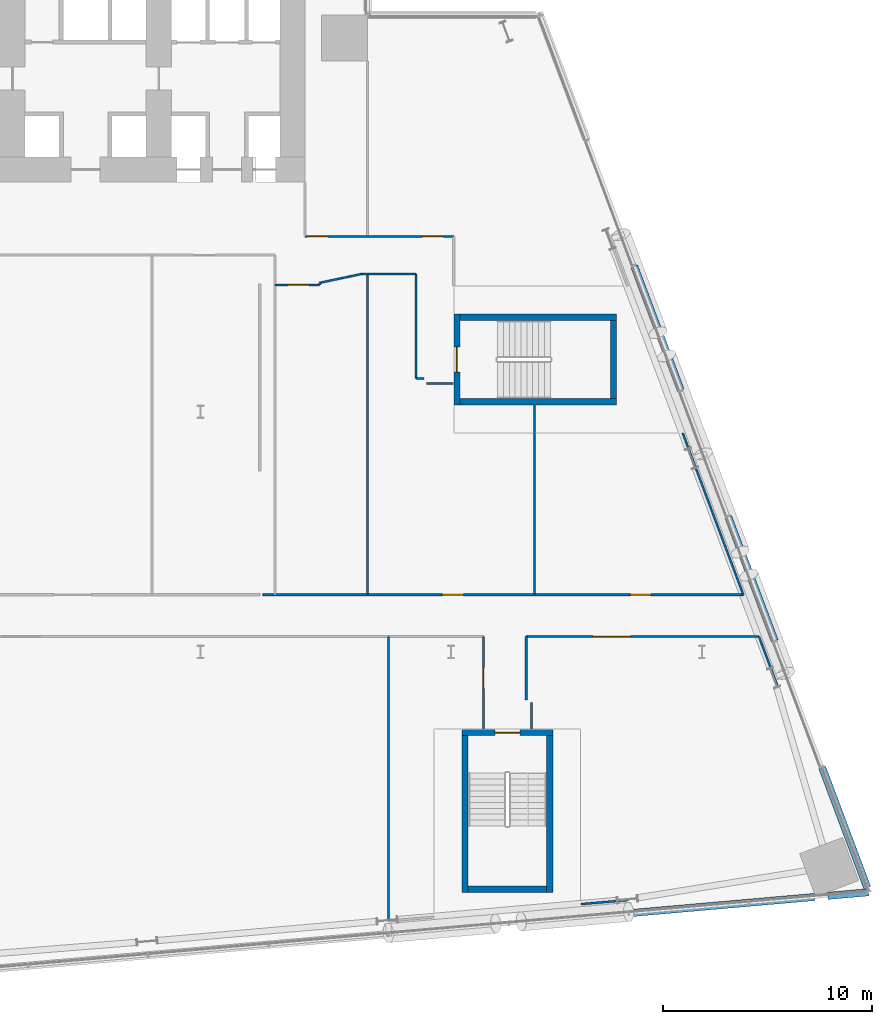
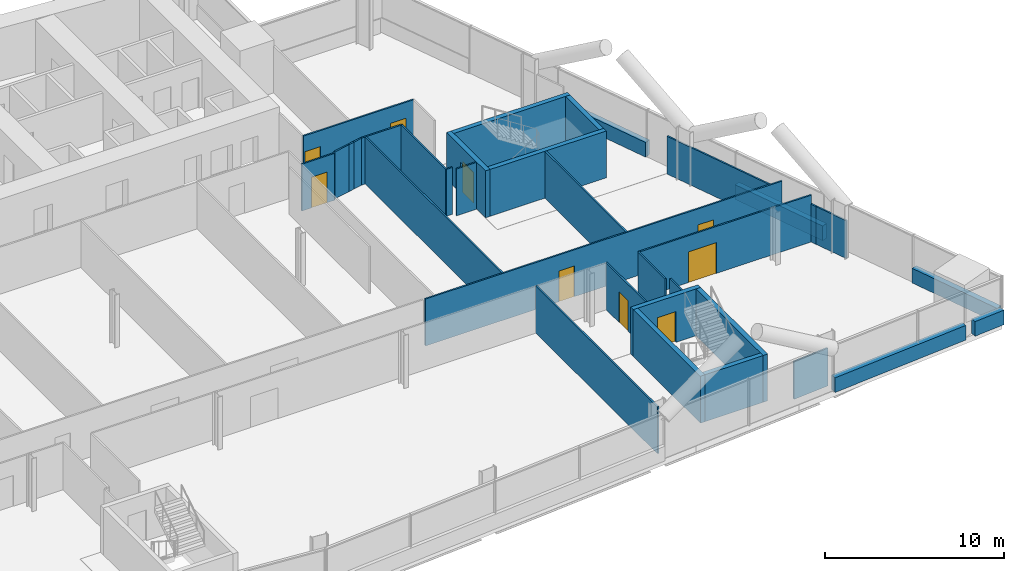
# One storey, part 19 of 27: 35 walls, 9 doors, 9 openings.
"""IFC4 building model written with IfcOpenShell, lengths in metres."""

from ifc_helpers import new_model, si_unit, direction, frame, frame_2d, origin, place, context, subcontext, project, spatial, rectangle, extrude, material, layer, layer_set, type_object, element, fill, save


model = new_model("IFC4")

# Units and contexts
model_context = context("Model", 3, precision=1e-05, world=origin(), true_north=direction((0.0, 1.0)))
body_context = subcontext(model_context, "Body", "Model", "MODEL_VIEW")
ifc_project = project(units=[si_unit("LENGTHUNIT", "METRE"), si_unit("AREAUNIT", "SQUARE_METRE"), si_unit("VOLUMEUNIT", "CUBIC_METRE"), si_unit("PLANEANGLEUNIT", "RADIAN"), si_unit("MASSUNIT", "GRAM", prefix="KILO")], contexts=[model_context])

# Site, building, storey
site_placement = place(None, origin())
site = spatial("IfcSite", under=ifc_project, at=site_placement, CompositionType="ELEMENT")
building_placement = place(site_placement, origin())
building = spatial("IfcBuilding", under=site, at=building_placement, Name="Wharfspan Tower", CompositionType="ELEMENT")
storey_placement = place(building_placement, frame((0.0, 0.0, 45.100098)))
storey = spatial("IfcBuildingStorey", under=building, at=storey_placement, Name="L07", CompositionType="ELEMENT", Elevation=45.100098)

# Wall, openings, doors
ifc_material_1 = material(Name="Gypsum board on steel studs", Category="steel")
ifc_layer_1 = layer(ifc_material_1, 0.100098)
ifc_layer_set_1 = layer_set([ifc_layer_1], Name="Gypsum board on steel studs")
wall_type_1 = type_object("IfcWallType", Name="Compartment wall 100 EI 60", PredefinedType="PARTITIONING", material=ifc_layer_set_1)
wall_1_placement = place(storey_placement, frame((62.97998, 14.23999, 0.0), z_axis=(0.0, 0.0, 1.0), x_axis=(1.0, 0.0, 0.0)))
wall_1 = element("IfcWall", 1, at=wall_1_placement, inside=storey, type_object=wall_type_1, Name="Partition L07.w047", PredefinedType="PARTITIONING", context=body_context, shape_type="SweptSolid", body=[
    extrude(rectangle(XDim=23.01001, YDim=0.100098, at=frame_2d((11.504883, 0.0))), origin(), (0.0, 0.0, 1.0), 3.199951),
])
opening_1_placement = place(wall_1_placement, frame((8.600098, 0.0, 0.0)))
opening_1 = element("IfcOpeningElement", 2, at=opening_1_placement, cuts=wall_1, Name="Opening A1-17", PredefinedType="OPENING", context=body_context, shape_type="SweptSolid", body=[
    extrude(rectangle(XDim=1.0, YDim=2.100098, at=frame_2d((0.5, 1.050049))), frame((0.0, 0.060059, 0.0), z_axis=(0.0, -1.0, 0.0), x_axis=(1.0, 0.0, 0.0)), (0.0, 0.0, 1.0), 0.120117),
])
opening_2_placement = place(wall_1_placement, frame((17.595459, 0.0, 0.0)))
opening_2 = element("IfcOpeningElement", 3, at=opening_2_placement, cuts=wall_1, Name="Opening A1-18", PredefinedType="OPENING", context=body_context, shape_type="SweptSolid", body=[
    extrude(rectangle(XDim=1.0, YDim=2.100098, at=frame_2d((0.5, 1.050049))), frame((0.0, 0.060059, 0.0), z_axis=(0.0, -1.0, 0.0), x_axis=(1.0, 0.0, 0.0)), (0.0, 0.0, 1.0), 0.120117),
])
ifc_material_2 = material(Name="Fire-rated timber door leaf in steel frame", Category="steel")
door_type_1 = type_object("IfcDoorType", Name="Door 1000 FD30S Left", OperationType="SINGLE_SWING_LEFT", PredefinedType="DOOR", material=ifc_material_2)
door_1_placement = place(opening_1_placement, origin())
door_1 = element("IfcDoor", 4, at=door_1_placement, inside=storey, type_object=door_type_1, Name="Door A1-17", OperationType="SINGLE_SWING_LEFT", OverallHeight=2.100098, OverallWidth=1.0, PredefinedType="DOOR", context=body_context, shape_type="SweptSolid", body=[
    extrude(rectangle(XDim=1.0, YDim=2.100098, at=frame_2d((0.5, 1.050049))), frame((0.0, 0.024902, 0.0), z_axis=(0.0, -1.0, 0.0), x_axis=(1.0, 0.0, 0.0)), (0.0, 0.0, 1.0), 0.050049),
])
fill(opening_1, door_1)
door_type_2 = type_object("IfcDoorType", Name="Door 1000 FD30S Right", OperationType="SINGLE_SWING_RIGHT", PredefinedType="DOOR", material=ifc_material_2)
door_2_placement = place(opening_2_placement, origin())
door_2 = element("IfcDoor", 5, at=door_2_placement, inside=storey, type_object=door_type_2, Name="Door A1-18", OperationType="SINGLE_SWING_RIGHT", OverallHeight=2.100098, OverallWidth=1.0, PredefinedType="DOOR", context=body_context, shape_type="SweptSolid", body=[
    extrude(rectangle(XDim=1.0, YDim=2.100098, at=frame_2d((0.5, 1.050049))), frame((0.0, 0.024902, 0.0), z_axis=(0.0, -1.0, 0.0), x_axis=(1.0, 0.0, 0.0)), (0.0, 0.0, 1.0), 0.050049),
])
fill(opening_2, door_2)

# Wall, opening, door
wall_2_placement = place(storey_placement, frame((63.574951, 29.074951, 0.0), z_axis=(0.0, 0.0, 1.0), x_axis=(1.0, 0.0, 0.0)))
wall_2 = element("IfcWall", 6, at=wall_2_placement, inside=storey, type_object=wall_type_1, Name="Partition L07.w049", PredefinedType="PARTITIONING", context=body_context, shape_type="SweptSolid", body=[
    extrude(rectangle(XDim=2.080078, YDim=0.100098, at=frame_2d((1.040039, 0.0))), origin(), (0.0, 0.0, 1.0), 3.199951),
])
opening_3_placement = place(wall_2_placement, frame((0.620117, 0.0, 0.0)))
opening_3 = element("IfcOpeningElement", 7, at=opening_3_placement, cuts=wall_2, Name="Opening A1-25", PredefinedType="OPENING", context=body_context, shape_type="SweptSolid", body=[
    extrude(rectangle(XDim=1.0, YDim=2.100098, at=frame_2d((0.5, 1.050049))), frame((0.0, 0.060059, 0.0), z_axis=(0.0, -1.0, 0.0), x_axis=(1.0, 0.0, 0.0)), (0.0, 0.0, 1.0), 0.120117),
])
door_3_placement = place(opening_3_placement, origin())
door_3 = element("IfcDoor", 8, at=door_3_placement, inside=storey, type_object=door_type_2, Name="Door A1-25", OperationType="SINGLE_SWING_RIGHT", OverallHeight=2.100098, OverallWidth=1.0, PredefinedType="DOOR", context=body_context, shape_type="SweptSolid", body=[
    extrude(rectangle(XDim=1.0, YDim=2.100098, at=frame_2d((0.5, 1.050049))), frame((0.0, 0.024902, 0.0), z_axis=(0.0, -1.0, 0.0), x_axis=(1.0, 0.0, 0.0)), (0.0, 0.0, 1.0), 0.050049),
])
fill(opening_3, door_3)

# Wall, openings, doors
wall_3_placement = place(storey_placement, frame((65.0, 31.399902, 0.0), z_axis=(0.0, 0.0, 1.0), x_axis=(1.0, 0.0, 0.0)))
wall_3 = element("IfcWall", 9, at=wall_3_placement, inside=storey, type_object=wall_type_1, Name="Partition L07.w051", PredefinedType="PARTITIONING", context=body_context, shape_type="SweptSolid", body=[
    extrude(rectangle(XDim=7.125, YDim=0.100098, at=frame_2d((3.5625, 0.0))), origin(), (0.0, 0.0, 1.0), 3.199951),
])
opening_4_placement = place(wall_3_placement, frame((0.100098, 0.0, 0.0)))
opening_4 = element("IfcOpeningElement", 10, at=opening_4_placement, cuts=wall_3, Name="Opening A1-30", PredefinedType="OPENING", context=body_context, shape_type="SweptSolid", body=[
    extrude(rectangle(XDim=1.0, YDim=2.100098, at=frame_2d((0.5, 1.050049))), frame((0.0, 0.060059, 0.0), z_axis=(0.0, -1.0, 0.0), x_axis=(1.0, 0.0, 0.0)), (0.0, 0.0, 1.0), 0.120117),
])
opening_5_placement = place(wall_3_placement, frame((5.625, 0.0, 0.0)))
opening_5 = element("IfcOpeningElement", 11, at=opening_5_placement, cuts=wall_3, Name="Opening A1-31", PredefinedType="OPENING", context=body_context, shape_type="SweptSolid", body=[
    extrude(rectangle(XDim=1.0, YDim=2.100098, at=frame_2d((0.5, 1.050049))), frame((0.0, 0.060059, 0.0), z_axis=(0.0, -1.0, 0.0), x_axis=(1.0, 0.0, 0.0)), (0.0, 0.0, 1.0), 0.120117),
])
door_4_placement = place(opening_4_placement, origin())
door_4 = element("IfcDoor", 12, at=door_4_placement, inside=storey, type_object=door_type_1, Name="Door A1-30", OperationType="SINGLE_SWING_LEFT", OverallHeight=2.100098, OverallWidth=1.0, PredefinedType="DOOR", context=body_context, shape_type="SweptSolid", body=[
    extrude(rectangle(XDim=1.0, YDim=2.100098, at=frame_2d((0.5, 1.050049))), frame((0.0, 0.024902, 0.0), z_axis=(0.0, -1.0, 0.0), x_axis=(1.0, 0.0, 0.0)), (0.0, 0.0, 1.0), 0.050049),
])
fill(opening_4, door_4)
door_5_placement = place(opening_5_placement, origin())
door_5 = element("IfcDoor", 13, at=door_5_placement, inside=storey, type_object=door_type_2, Name="Door A1-31", OperationType="SINGLE_SWING_RIGHT", OverallHeight=2.100098, OverallWidth=1.0, PredefinedType="DOOR", context=body_context, shape_type="SweptSolid", body=[
    extrude(rectangle(XDim=1.0, YDim=2.100098, at=frame_2d((0.5, 1.050049))), frame((0.0, 0.024902, 0.0), z_axis=(0.0, -1.0, 0.0), x_axis=(1.0, 0.0, 0.0)), (0.0, 0.0, 1.0), 0.050049),
])
fill(opening_5, door_5)

# Walls
wall_4_placement = place(storey_placement, frame((65.655029, 29.074951, 0.0), z_axis=(0.0, 0.0, 1.0), x_axis=(0.671773, 0.740757, 0.0)))
element("IfcWall", 14, at=wall_4_placement, inside=storey, type_object=wall_type_1, Name="Partition L07.w052", PredefinedType="PARTITIONING", context=body_context, shape_type="SweptSolid", body=[
    extrude(rectangle(XDim=0.148682, YDim=0.100098, at=frame_2d((0.074219, 0.0))), origin(), (0.0, 0.0, 1.0), 3.199951),
])
wall_5_placement = place(storey_placement, frame((65.754883, 29.185059, 0.0), z_axis=(0.0, 0.0, 1.0), x_axis=(0.978739, 0.205118, 0.0)))
element("IfcWall", 15, at=wall_5_placement, inside=storey, type_object=wall_type_1, Name="Partition L07.w053", PredefinedType="PARTITIONING", context=body_context, shape_type="SweptSolid", body=[
    extrude(rectangle(XDim=1.047363, YDim=0.100098, at=frame_2d((0.523682, 0.0))), origin(), (0.0, 0.0, 1.0), 3.199951),
])
wall_6_placement = place(storey_placement, frame((66.780029, 29.399902, 0.0), z_axis=(0.0, 0.0, 1.0), x_axis=(0.979048, 0.203632, 0.0)))
element("IfcWall", 16, at=wall_6_placement, inside=storey, type_object=wall_type_1, Name="Partition L07.w054", PredefinedType="PARTITIONING", context=body_context, shape_type="SweptSolid", body=[
    extrude(rectangle(XDim=0.393311, YDim=0.100098, at=frame_2d((0.196777, 0.0))), origin(), (0.0, 0.0, 1.0), 3.199951),
])
wall_7_placement = place(storey_placement, frame((67.165039, 29.47998, 0.0), z_axis=(0.0, 0.0, 1.0), x_axis=(0.977367, 0.211555, 0.0)))
element("IfcWall", 17, at=wall_7_placement, inside=storey, type_object=wall_type_1, Name="Partition L07.w055", PredefinedType="PARTITIONING", context=body_context, shape_type="SweptSolid", body=[
    extrude(rectangle(XDim=0.567871, YDim=0.100098, at=frame_2d((0.283936, 0.0))), origin(), (0.0, 0.0, 1.0), 3.199951),
])
wall_8_placement = place(storey_placement, frame((67.719971, 29.600098, 0.0), z_axis=(0.0, 0.0, 1.0), x_axis=(1.0, 0.0, 0.0)))
element("IfcWall", 18, at=wall_8_placement, inside=storey, type_object=wall_type_1, Name="Partition L07.w056", PredefinedType="PARTITIONING", context=body_context, shape_type="SweptSolid", body=[
    extrude(rectangle(XDim=2.60498, YDim=0.100098, at=frame_2d((1.30249, 0.0))), origin(), (0.0, 0.0, 1.0), 3.199951),
])
wall_9_placement = place(storey_placement, frame((68.0, 14.23999, 0.0), z_axis=(0.0, 0.0, 1.0), x_axis=(0.0, 1.0, 0.0)))
element("IfcWall", 19, at=wall_9_placement, inside=storey, type_object=wall_type_1, Name="Partition L07.w057", PredefinedType="PARTITIONING", context=body_context, shape_type="SweptSolid", body=[
    extrude(rectangle(XDim=15.360107, YDim=0.100098, at=frame_2d((7.680176, 0.0))), origin(), (0.0, 0.0, 1.0), 3.199951),
])
wall_10_placement = place(storey_placement, frame((69.0, -1.379883, 0.0), z_axis=(0.0, 0.0, 1.0), x_axis=(-0.000359, 1.000002, 0.0)))
element("IfcWall", 20, at=wall_10_placement, inside=storey, type_object=wall_type_1, Name="Partition L07.w059", PredefinedType="PARTITIONING", context=body_context, shape_type="SweptSolid", body=[
    extrude(rectangle(XDim=13.61499, YDim=0.100098, at=frame_2d((6.807617, 0.0))), origin(), (0.0, 0.0, 1.0), 3.199951),
])
wall_11_placement = place(storey_placement, frame((70.324951, 24.600098, 0.0), z_axis=(0.0, 0.0, 1.0), x_axis=(0.0, 1.0, 0.0)))
element("IfcWall", 21, at=wall_11_placement, inside=storey, type_object=wall_type_1, Name="Partition L07.w061", PredefinedType="PARTITIONING", context=body_context, shape_type="SweptSolid", body=[
    extrude(rectangle(XDim=5.0, YDim=0.100098, at=frame_2d((2.5, 0.0))), origin(), (0.0, 0.0, 1.0), 3.199951),
])
wall_12_placement = place(storey_placement, frame((70.324951, 24.600098, 0.0), z_axis=(0.0, 0.0, 1.0), x_axis=(1.0, 0.0, 0.0)))
element("IfcWall", 22, at=wall_12_placement, inside=storey, type_object=wall_type_1, Name="Partition L07.w062", PredefinedType="PARTITIONING", context=body_context, shape_type="SweptSolid", body=[
    extrude(rectangle(XDim=0.380127, YDim=0.100098, at=frame_2d((0.189941, 0.0))), origin(), (0.0, 0.0, 1.0), 3.199951),
])
wall_13_placement = place(storey_placement, frame((70.824951, 24.350098, 0.0), z_axis=(0.0, 0.0, 1.0), x_axis=(1.0, 0.0, 0.0)))
element("IfcWall", 23, at=wall_13_placement, inside=storey, type_object=wall_type_1, Name="Partition L07.w063", PredefinedType="PARTITIONING", context=body_context, shape_type="SweptSolid", body=[
    extrude(rectangle(XDim=1.280029, YDim=0.100098, at=frame_2d((0.640137, 0.0))), origin(), (0.0, 0.0, 1.0), 3.199951),
])

# Wall, opening, door
wall_14_placement = place(storey_placement, frame((73.540039, 7.812012, 0.0), z_axis=(0.0, 0.0, 1.0), x_axis=(0.0, 1.0, 0.0)))
wall_14 = element("IfcWall", 24, at=wall_14_placement, inside=storey, type_object=wall_type_1, Name="Partition L07.w065", PredefinedType="PARTITIONING", context=body_context, shape_type="SweptSolid", body=[
    extrude(rectangle(XDim=4.423096, YDim=0.100098, at=frame_2d((2.211426, 0.0))), origin(), (0.0, 0.0, 1.0), 3.199951),
])
opening_6_placement = place(wall_14_placement, frame((1.943115, 0.0, 0.0)))
opening_6 = element("IfcOpeningElement", 25, at=opening_6_placement, cuts=wall_14, Name="Opening A1-01", PredefinedType="OPENING", context=body_context, shape_type="SweptSolid", body=[
    extrude(rectangle(XDim=1.0, YDim=2.100098, at=frame_2d((0.5, 1.050049))), frame((0.0, 0.060059, 0.0), z_axis=(0.0, -1.0, 0.0), x_axis=(1.0, 0.0, 0.0)), (0.0, 0.0, 1.0), 0.120117),
])
door_6_placement = place(opening_6_placement, origin())
door_6 = element("IfcDoor", 26, at=door_6_placement, inside=storey, type_object=door_type_2, Name="Door A1-01", OperationType="SINGLE_SWING_RIGHT", OverallHeight=2.100098, OverallWidth=1.0, PredefinedType="DOOR", context=body_context, shape_type="SweptSolid", body=[
    extrude(rectangle(XDim=1.0, YDim=2.100098, at=frame_2d((0.5, 1.050049))), frame((0.0, 0.024902, 0.0), z_axis=(0.0, -1.0, 0.0), x_axis=(1.0, 0.0, 0.0)), (0.0, 0.0, 1.0), 0.050049),
])
fill(opening_6, door_6)

# Wall
wall_15_placement = place(storey_placement, frame((75.594971, 9.209961, 0.0), z_axis=(0.0, 0.0, 1.0), x_axis=(0.0, 1.0, 0.0)))
element("IfcWall", 27, at=wall_15_placement, inside=storey, type_object=wall_type_1, Name="Partition L07.w066", PredefinedType="PARTITIONING", context=body_context, shape_type="SweptSolid", body=[
    extrude(rectangle(XDim=3.02002, YDim=0.100098, at=frame_2d((1.51001, 0.0))), origin(), (0.0, 0.0, 1.0), 3.199951),
])

# Wall, opening, door
wall_16_placement = place(storey_placement, frame((75.594971, 12.235107, 0.0), z_axis=(0.0, 0.0, 1.0), x_axis=(1.0, 0.0, 0.0)))
wall_16 = element("IfcWall", 28, at=wall_16_placement, inside=storey, type_object=wall_type_1, Name="Partition L07.w067", PredefinedType="PARTITIONING", context=body_context, shape_type="SweptSolid", body=[
    extrude(rectangle(XDim=11.14502, YDim=0.100098, at=frame_2d((5.57251, 0.0))), origin(), (0.0, 0.0, 1.0), 3.199951),
])
opening_7_placement = place(wall_16_placement, frame((3.192383, 0.0, 0.0)))
opening_7 = element("IfcOpeningElement", 29, at=opening_7_placement, cuts=wall_16, Name="Opening A1-09", PredefinedType="OPENING", context=body_context, shape_type="SweptSolid", body=[
    extrude(rectangle(XDim=1.800049, YDim=2.100098, at=frame_2d((0.899902, 1.050049))), frame((0.0, 0.060059, 0.0), z_axis=(0.0, -1.0, 0.0), x_axis=(1.0, 0.0, 0.0)), (0.0, 0.0, 1.0), 0.120117),
])
door_type_3 = type_object("IfcDoorType", Name="Door 1800 FD30S Double", OperationType="DOUBLE_DOOR_SINGLE_SWING", PredefinedType="DOOR", material=ifc_material_2)
door_7_placement = place(opening_7_placement, origin())
door_7 = element("IfcDoor", 30, at=door_7_placement, inside=storey, type_object=door_type_3, Name="Door A1-09", OperationType="DOUBLE_DOOR_SINGLE_SWING", OverallHeight=2.100098, OverallWidth=1.800049, PredefinedType="DOOR", context=body_context, shape_type="SweptSolid", body=[
    extrude(rectangle(XDim=1.800049, YDim=2.100098, at=frame_2d((0.899902, 1.050049))), frame((0.0, 0.024902, 0.0), z_axis=(0.0, -1.0, 0.0), x_axis=(1.0, 0.0, 0.0)), (0.0, 0.0, 1.0), 0.050049),
])
fill(opening_7, door_7)

# Walls
wall_17_placement = place(storey_placement, frame((75.844971, 7.812012, 0.0), z_axis=(0.0, 0.0, 1.0), x_axis=(0.0, 1.0, 0.0)))
element("IfcWall", 31, at=wall_17_placement, inside=storey, type_object=wall_type_1, Name="Partition L07.w068", PredefinedType="PARTITIONING", context=body_context, shape_type="SweptSolid", body=[
    extrude(rectangle(XDim=1.278076, YDim=0.100098, at=frame_2d((0.63916, 0.0))), origin(), (0.0, 0.0, 1.0), 3.199951),
])
wall_18_placement = place(storey_placement, frame((76.0, 14.23999, 0.0), z_axis=(0.0, 0.0, 1.0), x_axis=(0.0, 1.0, 0.0)))
element("IfcWall", 32, at=wall_18_placement, inside=storey, type_object=wall_type_1, Name="Partition L07.w069", PredefinedType="PARTITIONING", context=body_context, shape_type="SweptSolid", body=[
    extrude(rectangle(XDim=9.084961, YDim=0.100098, at=frame_2d((4.54248, 0.0))), origin(), (0.0, 0.0, 1.0), 3.199951),
])
wall_19_placement = place(storey_placement, frame((85.98999, 14.23999, 0.0), z_axis=(0.0, 0.0, 1.0), x_axis=(-0.351133, 0.936325, 0.0)))
element("IfcWall", 33, at=wall_19_placement, inside=storey, type_object=wall_type_1, Name="Partition L07.w073", PredefinedType="PARTITIONING", context=body_context, shape_type="SweptSolid", body=[
    extrude(rectangle(XDim=8.266357, YDim=0.100098, at=frame_2d((4.133301, 0.0))), origin(), (0.0, 0.0, 1.0), 2.579834),
])
wall_20_placement = place(storey_placement, frame((86.879883, 11.85498, 0.0), z_axis=(0.0, 0.0, 1.0), x_axis=(-0.34537, 0.938466, 0.0)))
element("IfcWall", 34, at=wall_20_placement, inside=storey, type_object=wall_type_1, Name="Partition L07.w074", PredefinedType="PARTITIONING", context=body_context, shape_type="SweptSolid", body=[
    extrude(rectangle(XDim=0.405029, YDim=0.100098, at=frame_2d((0.202637, 0.0))), origin(), (0.0, 0.0, 1.0), 2.579834),
])
ifc_layer_2 = layer(ifc_material_1, 0.100098)
ifc_layer_set_2 = layer_set([ifc_layer_2], Name="Gypsum board on steel studs")
wall_type_2 = type_object("IfcWallType", Name="Partition 100", PredefinedType="PARTITIONING", material=ifc_layer_set_2)
wall_21_placement = place(storey_placement, frame((78.212402, -0.572998, 0.0), z_axis=(0.0, 0.0, 1.0), x_axis=(0.996271, 0.08623, 0.0)))
element("IfcWall", 35, at=wall_21_placement, inside=storey, type_object=wall_type_2, Name="Partition L07.w070", PredefinedType="PARTITIONING", context=body_context, shape_type="SweptSolid", body=[
    extrude(rectangle(XDim=2.296143, YDim=0.100098, at=frame_2d((1.147949, 0.0))), origin(), (0.0, 0.0, 1.0), 2.579834),
])
wall_22_placement = place(storey_placement, frame((87.649902, 9.810059, 0.0), z_axis=(0.0, 0.0, 1.0), x_axis=(-0.352397, 0.935852, 0.0)))
element("IfcWall", 36, at=wall_22_placement, inside=storey, type_object=wall_type_2, Name="Partition L07.w075", PredefinedType="PARTITIONING", context=body_context, shape_type="SweptSolid", body=[
    extrude(rectangle(XDim=2.185059, YDim=0.100098, at=frame_2d((1.092529, 0.0))), origin(), (0.0, 0.0, 1.0), 2.579834),
])
ifc_material_3 = material(Name="Concrete C40/50", Category="concrete")
ifc_layer_3 = layer(ifc_material_3, 0.350098)
ifc_layer_set_3 = layer_set([ifc_layer_3], Name="Concrete C40/50")
wall_type_3 = type_object("IfcWallType", Name="SPANDREL EXPOSED CONCRETE 350", PredefinedType="SOLIDWALL", material=ifc_layer_set_3)
wall_23_placement = place(storey_placement, frame((80.530273, -1.008545, 0.0), z_axis=(0.0, 0.0, 1.0), x_axis=(0.996198, 0.087169, 0.0)))
element("IfcWall", 37, at=wall_23_placement, inside=storey, type_object=wall_type_3, Name="Spandrel upstand L07 S2 2", PredefinedType="SOLIDWALL", context=body_context, shape_type="SweptSolid", body=[
    extrude(rectangle(XDim=8.912109, YDim=0.350098, at=frame_2d((4.456055, 0.0))), origin(), (0.0, 0.0, 1.0), 1.0),
])
wall_24_placement = place(storey_placement, frame((90.039062, -0.176514, 0.0), z_axis=(0.0, 0.0, 1.0), x_axis=(0.996193, 0.08717, 0.0)))
element("IfcWall", 38, at=wall_24_placement, inside=storey, type_object=wall_type_3, Name="Spandrel upstand L07 S2 3", PredefinedType="SOLIDWALL", context=body_context, shape_type="SweptSolid", body=[
    extrude(rectangle(XDim=1.968994, YDim=0.350098, at=frame_2d((0.984375, 0.0))), origin(), (0.0, 0.0, 1.0), 1.0),
])
wall_25_placement = place(storey_placement, frame((91.926025, 0.211182, 0.0), z_axis=(0.0, 0.0, 1.0), x_axis=(-0.351118, 0.936328, 0.0)))
element("IfcWall", 39, at=wall_25_placement, inside=storey, type_object=wall_type_3, Name="Spandrel upstand L07 E 1", PredefinedType="SOLIDWALL", context=body_context, shape_type="SweptSolid", body=[
    extrude(rectangle(XDim=6.154297, YDim=0.350098, at=frame_2d((3.077148, 0.0))), origin(), (0.0, 0.0, 1.0), 1.0),
])
for number, where, z_axis, x_axis, name in (
    (40, (87.494141, 12.029785, 0.0), (0.0, 0.0, 1.0), (-0.351133, 0.936329, 0.0), "Spandrel upstand L07 E 2"),
    (41, (82.994141, 24.029785, 0.0), (0.0, 0.0, 1.0), (-0.351133, 0.936329, 0.0), "Spandrel upstand L07 E 3"),
):
    element("IfcWall", number, at=place(storey_placement, frame(where, z_axis=z_axis, x_axis=x_axis)), inside=storey, type_object=wall_type_3, Name=name, PredefinedType="SOLIDWALL", context=body_context, shape_type="SweptSolid", body=[
        extrude(rectangle(XDim=6.348145, YDim=0.350098, at=frame_2d((3.174072, 0.0))), origin(), (0.0, 0.0, 1.0), 1.0),
    ])

# Wall, opening, door
ifc_layer_4 = layer(ifc_material_3, 0.300049)
ifc_layer_set_4 = layer_set([ifc_layer_4], Name="Concrete C40/50")
wall_type_4 = type_object("IfcWallType", Name="Stair core wall 300", PredefinedType="SHEAR", material=ifc_layer_set_4)
wall_26_placement = place(storey_placement, frame((72.517578, 7.64209, 0.0), z_axis=(0.0, 0.0, 1.0), x_axis=(1.0, 0.0, 0.0)))
wall_26 = element("IfcWall", 42, at=wall_26_placement, inside=storey, type_object=wall_type_4, Name="ST5 stair enclosure wall L07", PredefinedType="SHEAR", context=body_context, shape_type="SweptSolid", body=[
    extrude(rectangle(XDim=4.349854, YDim=0.300049, at=frame_2d((2.174805, 0.0))), origin(), (0.0, 0.0, 1.0), 3.199951),
])
opening_8_placement = place(wall_26_placement, frame((1.574951, 0.0, 0.0)))
opening_8 = element("IfcOpeningElement", 43, at=opening_8_placement, cuts=wall_26, Name="Opening SD5.L07", PredefinedType="OPENING", context=body_context, shape_type="SweptSolid", body=[
    extrude(rectangle(XDim=1.199951, YDim=2.100098, at=frame_2d((0.600098, 1.050049))), frame((0.0, 0.159912, 0.0), z_axis=(0.0, -1.0, 0.0), x_axis=(1.0, 0.0, 0.0)), (0.0, 0.0, 1.0), 0.320068),
])
ifc_material_4 = material(Name="Steel door leaf", Category="steel")
door_type_4 = type_object("IfcDoorType", Name="Stair door 1200x2100", OperationType="SINGLE_SWING_LEFT", PredefinedType="DOOR", material=ifc_material_4)
door_8_placement = place(opening_8_placement, origin())
door_8 = element("IfcDoor", 44, at=door_8_placement, inside=storey, type_object=door_type_4, Name="sd:L07:ST5z1", OperationType="SINGLE_SWING_RIGHT", OverallHeight=2.100098, OverallWidth=1.199951, PredefinedType="DOOR", context=body_context, shape_type="SweptSolid", body=[
    extrude(rectangle(XDim=1.199951, YDim=2.100098, at=frame_2d((0.600098, 1.050049))), frame((0.0, 0.024902, 0.0), z_axis=(0.0, -1.0, 0.0), x_axis=(1.0, 0.0, 0.0)), (0.0, 0.0, 1.0), 0.050049),
])
fill(opening_8, door_8)

wall_27_placement = place(storey_placement, frame((72.274902, 23.324951, 0.0), z_axis=(0.0, 0.0, 1.0), x_axis=(0.0, 1.0, 0.0)))
wall_27 = element("IfcWall", 45, at=wall_27_placement, inside=storey, type_object=wall_type_4, Name="ST6 stair enclosure wall L07", PredefinedType="SHEAR", context=body_context, shape_type="SweptSolid", body=[
    extrude(rectangle(XDim=4.350098, YDim=0.300049, at=frame_2d((2.175049, 0.0))), origin(), (0.0, 0.0, 1.0), 3.199951),
])
opening_9_placement = place(wall_27_placement, frame((1.574951, 0.0, 0.0)))
opening_9 = element("IfcOpeningElement", 46, at=opening_9_placement, cuts=wall_27, Name="Opening SD6.L07", PredefinedType="OPENING", context=body_context, shape_type="SweptSolid", body=[
    extrude(rectangle(XDim=1.199951, YDim=2.100098, at=frame_2d((0.600098, 1.050049))), frame((0.0, 0.159912, 0.0), z_axis=(0.0, -1.0, 0.0), x_axis=(1.0, 0.0, 0.0)), (0.0, 0.0, 1.0), 0.320068),
])
door_9_placement = place(opening_9_placement, origin())
door_9 = element("IfcDoor", 47, at=door_9_placement, inside=storey, type_object=door_type_4, Name="sd:L07:ST6z1", OperationType="SINGLE_SWING_RIGHT", OverallHeight=2.100098, OverallWidth=1.199951, PredefinedType="DOOR", context=body_context, shape_type="SweptSolid", body=[
    extrude(rectangle(XDim=1.199951, YDim=2.100098, at=frame_2d((0.600098, 1.050049))), frame((0.0, 0.024902, 0.0), z_axis=(0.0, -1.0, 0.0), x_axis=(1.0, 0.0, 0.0)), (0.0, 0.0, 1.0), 0.050049),
])
fill(opening_9, door_9)

# Walls
for number, where, z_axis, x_axis, name in (
    (48, (72.66748, -0.008057, 0.0), (0.0, 0.0, 1.0), (0.0, 1.0, 0.0), "ST5 stair enclosure wall L07"),
    (49, (76.717529, -0.008057, 0.0), (0.0, 0.0, 1.0), (0.0, 1.0, 0.0), "ST5 stair enclosure wall L07"),
):
    element("IfcWall", number, at=place(storey_placement, frame(where, z_axis=z_axis, x_axis=x_axis)), inside=storey, type_object=wall_type_4, Name=name, PredefinedType="SHEAR", context=body_context, shape_type="SweptSolid", body=[
        extrude(rectangle(XDim=7.5, YDim=0.300049, at=frame_2d((3.75, 0.0))), origin(), (0.0, 0.0, 1.0), 3.199951),
    ])
wall_28_placement = place(storey_placement, frame((72.817383, 0.14209, 0.0), z_axis=(0.0, 0.0, 1.0), x_axis=(1.0, 0.0, 0.0)))
element("IfcWall", 50, at=wall_28_placement, inside=storey, type_object=wall_type_4, Name="ST5 stair enclosure wall L07", PredefinedType="SHEAR", context=body_context, shape_type="SweptSolid", body=[
    extrude(rectangle(XDim=3.75, YDim=0.300049, at=frame_2d((1.875, 0.0))), origin(), (0.0, 0.0, 1.0), 3.199951),
])
for number, where, z_axis, x_axis, name in (
    (51, (72.425049, 23.475098, 0.0), (0.0, 0.0, 1.0), (1.0, 0.0, 0.0), "ST6 stair enclosure wall L07"),
    (52, (72.425049, 27.524902, 0.0), (0.0, 0.0, 1.0), (1.0, 0.0, 0.0), "ST6 stair enclosure wall L07"),
):
    element("IfcWall", number, at=place(storey_placement, frame(where, z_axis=z_axis, x_axis=x_axis)), inside=storey, type_object=wall_type_4, Name=name, PredefinedType="SHEAR", context=body_context, shape_type="SweptSolid", body=[
        extrude(rectangle(XDim=7.5, YDim=0.300049, at=frame_2d((3.75, 0.0))), origin(), (0.0, 0.0, 1.0), 3.199951),
    ])
wall_29_placement = place(storey_placement, frame((79.774902, 23.625, 0.0), z_axis=(0.0, 0.0, 1.0), x_axis=(0.0, 1.0, 0.0)))
element("IfcWall", 53, at=wall_29_placement, inside=storey, type_object=wall_type_4, Name="ST6 stair enclosure wall L07", PredefinedType="SHEAR", context=body_context, shape_type="SweptSolid", body=[
    extrude(rectangle(XDim=3.75, YDim=0.300049, at=frame_2d((1.875, 0.0))), origin(), (0.0, 0.0, 1.0), 3.199951),
])

save(model, "model.ifc")
